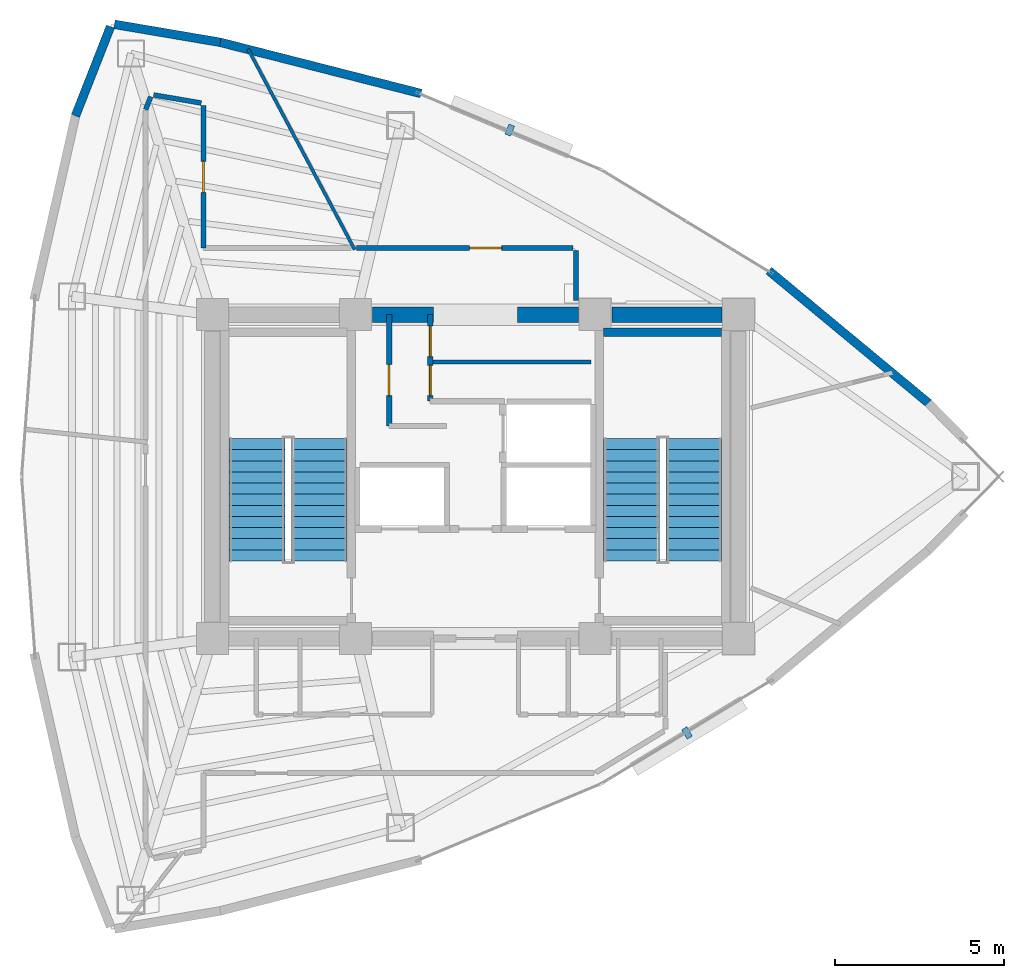
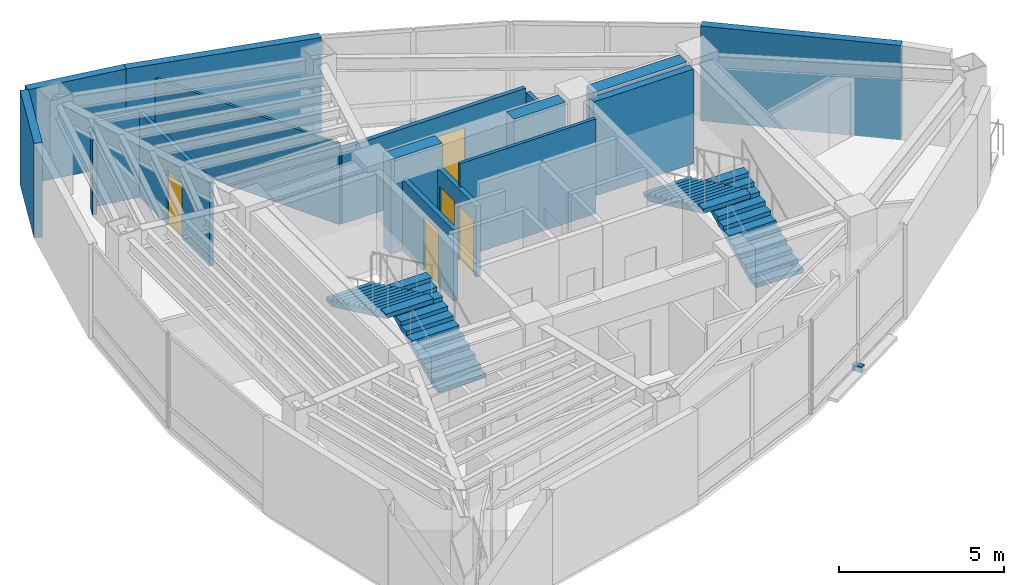
# One storey, part 13 of 15: 17 walls, 5 doors, 4 stair flights, 2 discrete accessories, 5 openings, 2 elements without a shape of their own.
"""IFC4 building model written with IfcOpenShell, lengths in metres."""

from ifc_helpers import new_model, si_unit, direction, frame, frame_2d, origin, origin_2d, place, context, subcontext, project, spatial, polyline, rectangle, outline, extrude, material, layer, layer_set, type_object, element, fill, aggregate, save


model = new_model("IFC4")

# Units and contexts
model_context = context("Model", 3, precision=1e-05, world=origin(), true_north=direction((0.0, 1.0)))
body_context = subcontext(model_context, "Body", "Model", "MODEL_VIEW")
ifc_project = project(units=[si_unit("LENGTHUNIT", "METRE"), si_unit("AREAUNIT", "SQUARE_METRE"), si_unit("VOLUMEUNIT", "CUBIC_METRE"), si_unit("PLANEANGLEUNIT", "RADIAN"), si_unit("MASSUNIT", "GRAM", prefix="KILO")], contexts=[model_context])

# Site, building, storey
site_placement = place(None, origin())
site = spatial("IfcSite", under=ifc_project, at=site_placement, CompositionType="ELEMENT")
building_placement = place(site_placement, origin())
building = spatial("IfcBuilding", under=site, at=building_placement, Name="Menara Vayukalpa", CompositionType="ELEMENT")
storey_placement = place(building_placement, frame((0.0, 0.0, 250.860107421875)))
storey = spatial("IfcBuildingStorey", under=building, at=storey_placement, Name="L63", CompositionType="ELEMENT", Elevation=250.860107421875)

# Walls
ifc_material_1 = material(Name="Concrete C50/60", Category="concrete")
ifc_layer_1 = layer(ifc_material_1, 0.449951171875)
ifc_layer_set_1 = layer_set([ifc_layer_1], Name="Concrete C50/60")
wall_type_1 = type_object("IfcWallType", Name="WAL-CW450", PredefinedType="SHEAR", material=ifc_layer_set_1)
wall_1_placement = place(storey_placement, frame((22.544921875, 26.800048828125, 0.0), z_axis=(0.0, 0.0, 1.0), x_axis=(1.0, 0.0, 0.0)))
element("IfcWall", 1, at=wall_1_placement, inside=storey, type_object=wall_type_1, Name="L63 Buttressed Core Shear Wall CWN2", PredefinedType="SHEAR", context=body_context, shape_type="SweptSolid", body=[
    extrude(rectangle(XDim=1.80517578125, YDim=0.449951171875, at=frame_2d((0.902587890625, 0.0))), origin(), (0.0, 0.0, 1.0), 3.5),
])
wall_2_placement = place(storey_placement, frame((26.85009765625, 26.800048828125, 0.0), z_axis=(0.0, 0.0, 1.0), x_axis=(1.0, 0.0, 0.0)))
element("IfcWall", 2, at=wall_2_placement, inside=storey, type_object=wall_type_1, Name="L63 Buttressed Core Shear Wall CWN3", PredefinedType="SHEAR", context=body_context, shape_type="SweptSolid", body=[
    extrude(rectangle(XDim=1.804931640625, YDim=0.449951171875, at=frame_2d((0.90234375, 0.0))), origin(), (0.0, 0.0, 1.0), 3.5),
])
wall_3_placement = place(storey_placement, frame((29.64501953125, 26.800048828125, 0.0), z_axis=(0.0, 0.0, 1.0), x_axis=(1.0, 0.0, 0.0)))
element("IfcWall", 3, at=wall_3_placement, inside=storey, type_object=wall_type_1, Name="L63 Buttressed Core Shear Wall CWN4", PredefinedType="SHEAR", context=body_context, shape_type="SweptSolid", body=[
    extrude(rectangle(XDim=3.260009765625, YDim=0.449951171875, at=frame_2d((1.6298828125, 0.0))), origin(), (0.0, 0.0, 1.0), 3.5),
])
ifc_material_2 = material(Name="Insulated Precast Concrete C40/50", Category="concrete")
ifc_layer_2 = layer(ifc_material_2, 0.260009765625)
ifc_layer_set_2 = layer_set([ifc_layer_2], Name="Insulated Precast Concrete C40/50")
wall_type_2 = type_object("IfcWallType", Name="WAL-EXT260", PredefinedType="PARTITIONING", material=ifc_layer_set_2)
wall_4_placement = place(storey_placement, frame((34.295166015625, 28.1083984375, 0.0), z_axis=(0.0, 0.0, 1.0), x_axis=(0.769779830138, -0.638309496337, 0.0)))
element("IfcWall", 4, at=wall_4_placement, inside=storey, type_object=wall_type_2, Name="L63 Perimeter Terracotta Pier Wall 03", PredefinedType="PARTITIONING", context=body_context, shape_type="SweptSolid", body=[
    extrude(rectangle(XDim=6.154052734375, YDim=0.260009765625, at=frame_2d((3.0771484375, 0.0))), origin(), (0.0, 0.0, 1.0), 3.5),
])
wall_5_placement = place(storey_placement, frame((18.0244140625, 34.878662109375, 0.0), z_axis=(0.0, 0.0, 1.0), x_axis=(0.968988278672, -0.247106689096, 0.0)))
element("IfcWall", 5, at=wall_5_placement, inside=storey, type_object=wall_type_2, Name="L63 Perimeter Terracotta Pier Wall 06", PredefinedType="PARTITIONING", context=body_context, shape_type="SweptSolid", body=[
    extrude(rectangle(XDim=6.154296875, YDim=0.260009765625, at=frame_2d((3.0771484375, 0.0))), origin(), (0.0, 0.0, 1.0), 3.5),
])
wall_6_placement = place(storey_placement, frame((14.900146484375, 35.40869140625, 0.0), z_axis=(0.0, 0.0, 1.0), x_axis=(0.985889432766, -0.167397808709, 0.0)))
element("IfcWall", 6, at=wall_6_placement, inside=storey, type_object=wall_type_2, Name="L63 Perimeter Terracotta Pier Wall 07", PredefinedType="PARTITIONING", context=body_context, shape_type="SweptSolid", body=[
    extrude(rectangle(XDim=3.180908203125, YDim=0.260009765625, at=frame_2d((1.59033203125, 0.0))), origin(), (0.0, 0.0, 1.0), 3.5),
])
wall_7_placement = place(storey_placement, frame((13.741943359375, 32.693359375, 0.0), z_axis=(0.0, 0.0, 1.0), x_axis=(0.36559927932, 0.930772349697, 0.0)))
element("IfcWall", 7, at=wall_7_placement, inside=storey, type_object=wall_type_2, Name="L63 Perimeter Terracotta Pier Wall 08", PredefinedType="PARTITIONING", context=body_context, shape_type="SweptSolid", body=[
    extrude(rectangle(XDim=2.845458984375, YDim=0.260009765625, at=frame_2d((1.4228515625, 0.0))), origin(), (0.0, 0.0, 1.0), 3.5),
])

# Wall, opening, door
ifc_material_3 = material(Name="Lightweight Concrete Blockwork C16/20", Category="masonry")
ifc_layer_3 = layer(ifc_material_3, 0.159912109375)
ifc_layer_set_3 = layer_set([ifc_layer_3], Name="Lightweight Concrete Blockwork C16/20")
wall_type_3 = type_object("IfcWallType", Name="WAL-FR150", PredefinedType="PARTITIONING", material=ifc_layer_set_3)
wall_8_placement = place(storey_placement, frame((23.0400390625, 23.5, 0.0), z_axis=(0.0, 0.0, 1.0), x_axis=(0.0, 1.0, 0.0)))
wall_8 = element("IfcWall", 8, at=wall_8_placement, inside=storey, type_object=wall_type_3, Name="L63 Interior Partition IW-L63-LV7WB", PredefinedType="PARTITIONING", context=body_context, shape_type="SweptSolid", body=[
    extrude(rectangle(XDim=3.300048828125, YDim=0.159912109375, at=frame_2d((1.64990234375, 0.0))), origin(), (0.0, 0.0, 1.0), 2.6298828125),
])
opening_1_placement = place(wall_8_placement, frame((0.89990234375, 0.0, 0.0)))
opening_1 = element("IfcOpeningElement", 9, at=opening_1_placement, cuts=wall_8, Name="Opening ID6", PredefinedType="OPENING", context=body_context, shape_type="SweptSolid", body=[
    extrude(rectangle(XDim=0.919921875, YDim=2.050048828125, at=frame_2d((0.4599609375, 1.02490234375))), frame((0.0, 0.08984375, 0.0), z_axis=(0.0, -1.0, 0.0), x_axis=(1.0, 0.0, 0.0)), (0.0, 0.0, 1.0), 0.179931640625),
])
ifc_material_4 = material(Name="Acoustic Hardwood Veneer Timber Door", Category="wood")
door_type_1 = type_object("IfcDoorType", Name="DR-INT92", OperationType="NOTDEFINED", PredefinedType="DOOR", material=ifc_material_4)
door_1_placement = place(opening_1_placement, origin())
door_1 = element("IfcDoor", 10, at=door_1_placement, inside=storey, type_object=door_type_1, Name="L63 Interior Door DR-L63-LV7W", OperationType="SINGLE_SWING_RIGHT", OverallHeight=2.050048828125, OverallWidth=0.919921875, PredefinedType="DOOR", context=body_context, shape_type="SweptSolid", body=[
    extrude(rectangle(XDim=0.919921875, YDim=2.050048828125, at=frame_2d((0.4599609375, 1.02490234375))), frame((0.0, 0.02490234375, 0.0), z_axis=(0.0, -1.0, 0.0), x_axis=(1.0, 0.0, 0.0)), (0.0, 0.0, 1.0), 0.050048828125),
])
fill(opening_1, door_1)

# Wall, openings, doors
wall_9_placement = place(storey_placement, frame((24.260009765625, 24.239990234375, 0.0), z_axis=(0.0, 0.0, 1.0), x_axis=(0.0, 1.0, 0.0)))
wall_9 = element("IfcWall", 11, at=wall_9_placement, inside=storey, type_object=wall_type_3, Name="L63 Interior Partition IW-L63-LV7EB", PredefinedType="PARTITIONING", context=body_context, shape_type="SweptSolid", body=[
    extrude(rectangle(XDim=2.56005859375, YDim=0.159912109375, at=frame_2d((1.280029296875, 0.0))), origin(), (0.0, 0.0, 1.0), 2.6298828125),
])
opening_2_placement = place(wall_9_placement, frame((0.159912109375, 0.0, 0.0)))
opening_2 = element("IfcOpeningElement", 12, at=opening_2_placement, cuts=wall_9, Name="Opening ID7", PredefinedType="OPENING", context=body_context, shape_type="SweptSolid", body=[
    extrude(rectangle(XDim=0.89990234375, YDim=2.02001953125, at=frame_2d((0.449951171875, 1.010009765625))), frame((0.0, 0.08984375, 0.0), z_axis=(0.0, -1.0, 0.0), x_axis=(1.0, 0.0, 0.0)), (0.0, 0.0, 1.0), 0.179931640625),
])
opening_3_placement = place(wall_9_placement, frame((1.320068359375, 0.0, 0.0)))
opening_3 = element("IfcOpeningElement", 13, at=opening_3_placement, cuts=wall_9, Name="Opening ID7", PredefinedType="OPENING", context=body_context, shape_type="SweptSolid", body=[
    extrude(rectangle(XDim=0.89990234375, YDim=2.02001953125, at=frame_2d((0.449951171875, 1.010009765625))), frame((0.0, 0.08984375, 0.0), z_axis=(0.0, -1.0, 0.0), x_axis=(1.0, 0.0, 0.0)), (0.0, 0.0, 1.0), 0.179931640625),
])
ifc_material_5 = material(Name="Powder-Coated Steel Riser Access Door", Category="steel")
door_type_2 = type_object("IfcDoorType", Name="DR-RISER", OperationType="NOTDEFINED", PredefinedType="DOOR", material=ifc_material_5)
door_2_placement = place(opening_2_placement, origin())
door_2 = element("IfcDoor", 14, at=door_2_placement, inside=storey, type_object=door_type_2, Name="L63 Interior Door DR-L63-LV7E1", OperationType="SINGLE_SWING_LEFT", OverallHeight=2.02001953125, OverallWidth=0.89990234375, PredefinedType="DOOR", context=body_context, shape_type="SweptSolid", body=[
    extrude(rectangle(XDim=0.89990234375, YDim=2.02001953125, at=frame_2d((0.449951171875, 1.010009765625))), frame((0.0, 0.02490234375, 0.0), z_axis=(0.0, -1.0, 0.0), x_axis=(1.0, 0.0, 0.0)), (0.0, 0.0, 1.0), 0.050048828125),
])
fill(opening_2, door_2)
door_3_placement = place(opening_3_placement, origin())
door_3 = element("IfcDoor", 15, at=door_3_placement, inside=storey, type_object=door_type_2, Name="L63 Interior Door DR-L63-LV7E2", OperationType="SINGLE_SWING_RIGHT", OverallHeight=2.02001953125, OverallWidth=0.89990234375, PredefinedType="DOOR", context=body_context, shape_type="SweptSolid", body=[
    extrude(rectangle(XDim=0.89990234375, YDim=2.02001953125, at=frame_2d((0.449951171875, 1.010009765625))), frame((0.0, 0.02490234375, 0.0), z_axis=(0.0, -1.0, 0.0), x_axis=(1.0, 0.0, 0.0)), (0.0, 0.0, 1.0), 0.050048828125),
])
fill(opening_3, door_3)

# Walls
ifc_material_6 = material(Name="Glazed Demountable Office Partition", Category="glass")
ifc_layer_4 = layer(ifc_material_6, 0.094970703125)
ifc_layer_set_4 = layer_set([ifc_layer_4], Name="Glazed Demountable Office Partition")
wall_type_4 = type_object("IfcWallType", Name="WAL-PT100", PredefinedType="PARTITIONING", material=ifc_layer_set_4)
wall_10_placement = place(storey_placement, frame((22.021484375, 28.72998046875, 0.0), z_axis=(0.0, 0.0, 1.0), x_axis=(-0.469464454367, 0.882951372435, 0.0)))
element("IfcWall", 16, at=wall_10_placement, inside=storey, type_object=wall_type_4, Name="L63 Interior Partition IW-L63-RDIV02", PredefinedType="PARTITIONING", context=body_context, shape_type="SweptSolid", body=[
    extrude(rectangle(XDim=6.73388671875, YDim=0.094970703125, at=frame_2d((3.366943359375, 0.0))), origin(), (0.0, 0.0, 1.0), 2.97998046875),
])
ifc_material_7 = material(Name="Acoustic Mineral Stud Partition", Category="masonry")
ifc_layer_5 = layer(ifc_material_7, 0.110107421875)
ifc_layer_set_5 = layer_set([ifc_layer_5], Name="Acoustic Mineral Stud Partition")
wall_type_5 = type_object("IfcWallType", Name="WAL-PT110", PredefinedType="PARTITIONING", material=ifc_layer_set_5)
wall_11_placement = place(storey_placement, frame((24.260009765625, 25.39990234375, 0.0), z_axis=(0.0, 0.0, 1.0), x_axis=(1.0, 0.0, 0.0)))
element("IfcWall", 17, at=wall_11_placement, inside=storey, type_object=wall_type_5, Name="L63 Interior Partition IW-L63-LV7EM", PredefinedType="PARTITIONING", context=body_context, shape_type="SweptSolid", body=[
    extrude(rectangle(XDim=4.760009765625, YDim=0.110107421875, at=frame_2d((2.3798828125, 0.0))), origin(), (0.0, 0.0, 1.0), 3.5),
])
ifc_material_8 = material(Name="Gypsum Drywall Acoustic Stud Assembly", Category="masonry")
ifc_layer_6 = layer(ifc_material_8, 0.14501953125)
ifc_layer_set_6 = layer_set([ifc_layer_6], Name="Gypsum Drywall Acoustic Stud Assembly")
wall_type_6 = type_object("IfcWallType", Name="WAL-PT150", PredefinedType="PARTITIONING", material=ifc_layer_set_6)
wall_12_placement = place(storey_placement, frame((28.580078125, 27.219970703125, 0.0), z_axis=(0.0, 0.0, 1.0), x_axis=(0.0, 1.0, 0.0)))
element("IfcWall", 18, at=wall_12_placement, inside=storey, type_object=wall_type_6, Name="L63 Interior Partition IW-L63-CRM05-1", PredefinedType="PARTITIONING", context=body_context, shape_type="SweptSolid", body=[
    extrude(rectangle(XDim=1.47998046875, YDim=0.14501953125, at=frame_2d((0.739990234375, 0.0))), origin(), (0.0, 0.0, 1.0), 2.6298828125),
])

# Wall, opening, door
wall_13_placement = place(storey_placement, frame((28.5, 28.780029296875, 0.0), z_axis=(0.0, 0.0, 1.0), x_axis=(-1.0, 0.0, 0.0)))
wall_13 = element("IfcWall", 19, at=wall_13_placement, inside=storey, type_object=wall_type_6, Name="L63 Interior Partition IW-L63-CRM05-2", PredefinedType="PARTITIONING", context=body_context, shape_type="SweptSolid", body=[
    extrude(rectangle(XDim=6.42578125, YDim=0.14501953125, at=frame_2d((3.212890625, 0.0))), origin(), (0.0, 0.0, 1.0), 2.77978515625),
])
opening_4_placement = place(wall_13_placement, frame((2.123291015625, 0.0, 0.0)))
opening_4 = element("IfcOpeningElement", 20, at=opening_4_placement, cuts=wall_13, Name="Opening ID5", PredefinedType="OPENING", context=body_context, shape_type="SweptSolid", body=[
    extrude(rectangle(XDim=0.949951171875, YDim=2.06005859375, at=frame_2d((0.47509765625, 1.030029296875))), frame((0.0, 0.08251953125, 0.0), z_axis=(0.0, -1.0, 0.0), x_axis=(1.0, 0.0, 0.0)), (0.0, 0.0, 1.0), 0.1650390625),
])
ifc_material_9 = material(Name="Acoustic Hardwood Veneer Timber Door", Category="wood")
door_type_3 = type_object("IfcDoorType", Name="DR-INT95", OperationType="NOTDEFINED", PredefinedType="DOOR", material=ifc_material_9)
door_4_placement = place(opening_4_placement, origin())
door_4 = element("IfcDoor", 21, at=door_4_placement, inside=storey, type_object=door_type_3, Name="L63 Interior Door DR-L63-RM05", OperationType="SINGLE_SWING_RIGHT", OverallHeight=2.06005859375, OverallWidth=0.949951171875, PredefinedType="DOOR", context=body_context, shape_type="SweptSolid", body=[
    extrude(rectangle(XDim=0.949951171875, YDim=2.06005859375, at=frame_2d((0.47509765625, 1.030029296875))), frame((0.0, 0.02490234375, 0.0), z_axis=(0.0, -1.0, 0.0), x_axis=(1.0, 0.0, 0.0)), (0.0, 0.0, 1.0), 0.050048828125),
])
fill(opening_4, door_4)

wall_14_placement = place(storey_placement, frame((17.5400390625, 28.780029296875, 0.0), z_axis=(0.0, 0.0, 1.0), x_axis=(0.0, 1.0, 0.0)))
wall_14 = element("IfcWall", 22, at=wall_14_placement, inside=storey, type_object=wall_type_6, Name="L63 Interior Partition IW-L63-CRM06-2", PredefinedType="PARTITIONING", context=body_context, shape_type="SweptSolid", body=[
    extrude(rectangle(XDim=4.216064453125, YDim=0.14501953125, at=frame_2d((2.10791015625, 0.0))), origin(), (0.0, 0.0, 1.0), 3.1298828125),
])
opening_5_placement = place(wall_14_placement, frame((1.64794921875, 0.0, 0.0)))
opening_5 = element("IfcOpeningElement", 23, at=opening_5_placement, cuts=wall_14, Name="Opening ID6", PredefinedType="OPENING", context=body_context, shape_type="SweptSolid", body=[
    extrude(rectangle(XDim=0.919921875, YDim=2.050048828125, at=frame_2d((0.4599609375, 1.02490234375))), frame((0.0, 0.08251953125, 0.0), z_axis=(0.0, -1.0, 0.0), x_axis=(1.0, 0.0, 0.0)), (0.0, 0.0, 1.0), 0.1650390625),
])
door_5_placement = place(opening_5_placement, origin())
door_5 = element("IfcDoor", 24, at=door_5_placement, inside=storey, type_object=door_type_1, Name="L63 Interior Door DR-L63-RM06", OperationType="SINGLE_SWING_LEFT", OverallHeight=2.050048828125, OverallWidth=0.919921875, PredefinedType="DOOR", context=body_context, shape_type="SweptSolid", body=[
    extrude(rectangle(XDim=0.919921875, YDim=2.050048828125, at=frame_2d((0.4599609375, 1.02490234375))), frame((0.0, 0.02490234375, 0.0), z_axis=(0.0, -1.0, 0.0), x_axis=(1.0, 0.0, 0.0)), (0.0, 0.0, 1.0), 0.050048828125),
])
fill(opening_5, door_5)

# Walls
wall_15_placement = place(storey_placement, frame((17.473388671875, 33.074951171875, 0.0), z_axis=(0.0, 0.0, 1.0), x_axis=(-0.985881780308, 0.167442871621, 0.0)))
element("IfcWall", 25, at=wall_15_placement, inside=storey, type_object=wall_type_6, Name="L63 Interior Partition IW-L63-CRM06-3", PredefinedType="PARTITIONING", context=body_context, shape_type="SweptSolid", body=[
    extrude(rectangle(XDim=1.430419921875, YDim=0.14501953125, at=frame_2d((0.71533203125, 0.0))), origin(), (0.0, 0.0, 1.0), 3.1298828125),
])
wall_16_placement = place(storey_placement, frame((15.975341796875, 33.2646484375, 0.0), z_axis=(0.0, 0.0, 1.0), x_axis=(-0.365633948196, -0.930758731319, 0.0)))
element("IfcWall", 26, at=wall_16_placement, inside=storey, type_object=wall_type_6, Name="L63 Interior Partition IW-L63-CRM06-4", PredefinedType="PARTITIONING", context=body_context, shape_type="SweptSolid", body=[
    extrude(rectangle(XDim=0.409912109375, YDim=0.14501953125, at=frame_2d((0.205078125, 0.0))), origin(), (0.0, 0.0, 1.0), 2.77978515625),
])
ifc_material_10 = material(Name="Concrete C50/60", Category="concrete")
ifc_layer_7 = layer(ifc_material_10, 0.25)
ifc_layer_set_7 = layer_set([ifc_layer_7], Name="Concrete C50/60")
wall_type_7 = type_object("IfcWallType", Name="WAL-SW250", PredefinedType="SHEAR", material=ifc_layer_set_7)
wall_17_placement = place(storey_placement, frame((29.39990234375, 26.27490234375, 0.0), z_axis=(0.0, 0.0, 1.0), x_axis=(1.0, 0.0, 0.0)))
element("IfcWall", 27, at=wall_17_placement, inside=storey, type_object=wall_type_7, Name="L63 ST2 Structural Stair Shaft Wall N", PredefinedType="SHEAR", context=body_context, shape_type="SweptSolid", body=[
    extrude(rectangle(XDim=3.5, YDim=0.25, at=frame_2d((1.75, 0.0))), origin(), (0.0, 0.0, 1.0), 3.5),
])

# Stair, stair flights
ifc_material_11 = material(Name="Precast Concrete C40/50", Category="concrete")
stair_type = type_object("IfcStairType", Name="STR-T04", PredefinedType="DOUBLE_RETURN_STAIR", material=ifc_material_11)
stair_1_placement = place(storey_placement, origin())
stair_1 = element("IfcStair", 28, at=stair_1_placement, inside=storey, type_object=stair_type, Name="L63 Core Exit Stair ST-1", PredefinedType="DOUBLE_RETURN_STAIR")
ifc_material_12 = material(Name="Precast Concrete C40/50", Category="concrete")
stair_flight_type = type_object("IfcStairFlightType", Name="STF-T04", PredefinedType="STRAIGHT", material=ifc_material_12)
stair_flight_1_placement = place(storey_placement, frame((20.97509765625, 19.5, 0.0), z_axis=(0.0, 0.0, 1.0), x_axis=(0.0, 1.0, 0.0)))
stair_flight_1 = element("IfcStairFlight", 29, at=stair_flight_1_placement, type_object=stair_flight_type, Name="ST-1 flight 1", NumberOfRisers=12, NumberOfTreads=11, PredefinedType="STRAIGHT", RiserHeight=0.155, TreadLength=0.33, context=body_context, shape_type="SweptSolid", body=[
    extrude(outline(polyline([(0.0, 0.0), (0.0, 0.155029296875), (0.330078125, 0.155029296875), (0.330078125, 0.31005859375), (0.659912109375, 0.31005859375), (0.659912109375, 0.465087890625), (0.989990234375, 0.465087890625), (0.989990234375, 0.6201171875), (1.320068359375, 0.6201171875), (1.320068359375, 0.77490234375), (1.64990234375, 0.77490234375), (1.64990234375, 0.929931640625), (1.97998046875, 0.929931640625), (1.97998046875, 1.0849609375), (2.31005859375, 1.0849609375), (2.31005859375, 1.239990234375), (2.639892578125, 1.239990234375), (2.639892578125, 1.39501953125), (2.969970703125, 1.39501953125), (2.969970703125, 1.550048828125), (3.300048828125, 1.550048828125), (3.300048828125, 1.705078125), (3.6298828125, 1.705078125), (3.6298828125, 1.860107421875), (3.6298828125, 1.539306640625), (0.3525390625, 0.0), (0.0, 0.0)])), frame((0.0, 0.824951171875, 0.0), z_axis=(0.0, -1.0, 0.0), x_axis=(1.0, 0.0, 0.0)), (0.0, 0.0, 1.0), 1.64990234375),
])
stair_flight_2_placement = place(storey_placement, frame((19.125, 23.1298828125, 1.85986328125), z_axis=(0.0, 0.0, 1.0), x_axis=(0.0, -1.0, 0.0)))
stair_flight_2 = element("IfcStairFlight", 30, at=stair_flight_2_placement, type_object=stair_flight_type, Name="ST-1 flight 2", NumberOfRisers=12, NumberOfTreads=11, PredefinedType="STRAIGHT", RiserHeight=0.155, TreadLength=0.33, context=body_context, shape_type="SweptSolid", body=[
    extrude(outline(polyline([(0.0, 0.0), (0.0, 0.155029296875), (0.330078125, 0.155029296875), (0.330078125, 0.31005859375), (0.659912109375, 0.31005859375), (0.659912109375, 0.465087890625), (0.989990234375, 0.465087890625), (0.989990234375, 0.6201171875), (1.320068359375, 0.6201171875), (1.320068359375, 0.77490234375), (1.64990234375, 0.77490234375), (1.64990234375, 0.929931640625), (1.97998046875, 0.929931640625), (1.97998046875, 1.0849609375), (2.31005859375, 1.0849609375), (2.31005859375, 1.239990234375), (2.639892578125, 1.239990234375), (2.639892578125, 1.39501953125), (2.969970703125, 1.39501953125), (2.969970703125, 1.550048828125), (3.300048828125, 1.550048828125), (3.300048828125, 1.705078125), (3.6298828125, 1.705078125), (3.6298828125, 1.860107421875), (3.6298828125, 1.539306640625), (0.3525390625, 0.0), (0.0, 0.0)])), frame((0.0, 0.824951171875, 0.0), z_axis=(0.0, -1.0, 0.0), x_axis=(1.0, 0.0, 0.0)), (0.0, 0.0, 1.0), 1.64990234375),
])
aggregate(stair_1, [stair_flight_1, stair_flight_2])

stair_2_placement = place(storey_placement, origin())
stair_2 = element("IfcStair", 31, at=stair_2_placement, inside=storey, type_object=stair_type, Name="L63 Core Exit Stair ST-2", PredefinedType="DOUBLE_RETURN_STAIR")
stair_flight_3_placement = place(storey_placement, frame((32.074951171875, 19.5, 0.0), z_axis=(0.0, 0.0, 1.0), x_axis=(0.0, 1.0, 0.0)))
stair_flight_3 = element("IfcStairFlight", 32, at=stair_flight_3_placement, type_object=stair_flight_type, Name="ST-2 flight 1", NumberOfRisers=12, NumberOfTreads=11, PredefinedType="STRAIGHT", RiserHeight=0.155, TreadLength=0.33, context=body_context, shape_type="SweptSolid", body=[
    extrude(outline(polyline([(0.0, 0.0), (0.0, 0.155029296875), (0.330078125, 0.155029296875), (0.330078125, 0.31005859375), (0.659912109375, 0.31005859375), (0.659912109375, 0.465087890625), (0.989990234375, 0.465087890625), (0.989990234375, 0.6201171875), (1.320068359375, 0.6201171875), (1.320068359375, 0.77490234375), (1.64990234375, 0.77490234375), (1.64990234375, 0.929931640625), (1.97998046875, 0.929931640625), (1.97998046875, 1.0849609375), (2.31005859375, 1.0849609375), (2.31005859375, 1.239990234375), (2.639892578125, 1.239990234375), (2.639892578125, 1.39501953125), (2.969970703125, 1.39501953125), (2.969970703125, 1.550048828125), (3.300048828125, 1.550048828125), (3.300048828125, 1.705078125), (3.6298828125, 1.705078125), (3.6298828125, 1.860107421875), (3.6298828125, 1.539306640625), (0.3525390625, 0.0), (0.0, 0.0)])), frame((0.0, 0.824951171875, 0.0), z_axis=(0.0, -1.0, 0.0), x_axis=(1.0, 0.0, 0.0)), (0.0, 0.0, 1.0), 1.64990234375),
])
stair_flight_4_placement = place(storey_placement, frame((30.22509765625, 23.1298828125, 1.85986328125), z_axis=(0.0, 0.0, 1.0), x_axis=(0.0, -1.0, 0.0)))
stair_flight_4 = element("IfcStairFlight", 33, at=stair_flight_4_placement, type_object=stair_flight_type, Name="ST-2 flight 2", NumberOfRisers=12, NumberOfTreads=11, PredefinedType="STRAIGHT", RiserHeight=0.155, TreadLength=0.33, context=body_context, shape_type="SweptSolid", body=[
    extrude(outline(polyline([(0.0, 0.0), (0.0, 0.155029296875), (0.330078125, 0.155029296875), (0.330078125, 0.31005859375), (0.659912109375, 0.31005859375), (0.659912109375, 0.465087890625), (0.989990234375, 0.465087890625), (0.989990234375, 0.6201171875), (1.320068359375, 0.6201171875), (1.320068359375, 0.77490234375), (1.64990234375, 0.77490234375), (1.64990234375, 0.929931640625), (1.97998046875, 0.929931640625), (1.97998046875, 1.0849609375), (2.31005859375, 1.0849609375), (2.31005859375, 1.239990234375), (2.639892578125, 1.239990234375), (2.639892578125, 1.39501953125), (2.969970703125, 1.39501953125), (2.969970703125, 1.550048828125), (3.300048828125, 1.550048828125), (3.300048828125, 1.705078125), (3.6298828125, 1.705078125), (3.6298828125, 1.860107421875), (3.6298828125, 1.539306640625), (0.3525390625, 0.0), (0.0, 0.0)])), frame((0.0, 0.824951171875, 0.0), z_axis=(0.0, -1.0, 0.0), x_axis=(1.0, 0.0, 0.0)), (0.0, 0.0, 1.0), 1.64990234375),
])
aggregate(stair_2, [stair_flight_3, stair_flight_4])

# Discrete accessories
ifc_material_13 = material(Name="Stainless Steel 316 Sunshade Bracket", Category="steel")
discrete_accessory_type = type_object("IfcDiscreteAccessoryType", Name="ACC-BRK1", PredefinedType="BRACKET", material=ifc_material_13)
for number, where, z_axis, x_axis, name in (
    (34, (26.61767578125, 32.272705078125, -0.16015625), (0.0, 0.0, 1.0), (-0.922538089456, 0.385906042324, 0.0), "L63 Terracotta Sunshade Bracket 05"),
    (35, (31.87109375, 14.402587890625, -0.16015625), (0.0, 0.0, 1.0), (0.85466730962, 0.519176068272, 0.0), "L63 Terracotta Sunshade Bracket 17"),
):
    element("IfcDiscreteAccessory", number, at=place(storey_placement, frame(where, z_axis=z_axis, x_axis=x_axis)), inside=storey, type_object=discrete_accessory_type, Name=name, PredefinedType="BRACKET", context=body_context, shape_type="SweptSolid", body=[
        extrude(rectangle(XDim=0.179931640625, YDim=0.320068359375, at=origin_2d()), origin(), (0.0, 0.0, 1.0), 0.219970703125),
    ])

save(model, "model.ifc")
